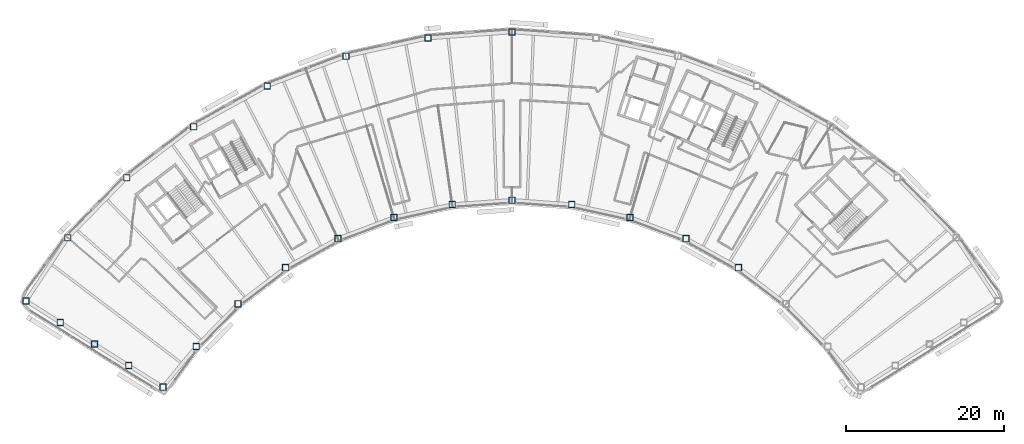
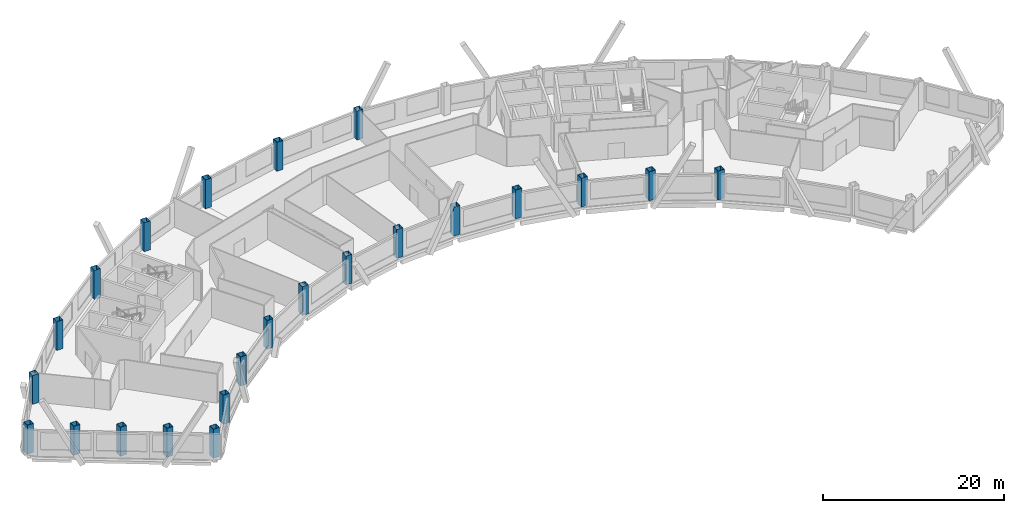
# One storey, part 1 of 13: 23 columns.
"""IFC4 building model written with IfcOpenShell, lengths in metres."""

from ifc_helpers import new_model, si_unit, direction, frame, origin, origin_2d, place, context, subcontext, project, spatial, hollow_rectangle, extrude, material, material_profile, profile_set, type_object, element, save


model = new_model("IFC4")

# Units and contexts
model_context = context("Model", 3, precision=1e-05, world=origin(), true_north=direction((0.0, 1.0)))
body_context = subcontext(model_context, "Body", "Model", "MODEL_VIEW")
ifc_project = project(units=[si_unit("LENGTHUNIT", "METRE"), si_unit("AREAUNIT", "SQUARE_METRE"), si_unit("VOLUMEUNIT", "CUBIC_METRE"), si_unit("PLANEANGLEUNIT", "RADIAN"), si_unit("MASSUNIT", "GRAM", prefix="KILO")], contexts=[model_context])

# Site, building, storey
site_placement = place(None, origin())
site = spatial("IfcSite", under=ifc_project, at=site_placement, CompositionType="ELEMENT")
building_placement = place(site_placement, origin())
building = spatial("IfcBuilding", under=site, at=building_placement, Name="Tuul Gate Civic Tower", CompositionType="ELEMENT")
storey_placement = place(building_placement, frame((0.0, 0.0, 294.199951171875)))
storey = spatial("IfcBuildingStorey", under=building, at=storey_placement, Name="Level 66", CompositionType="ELEMENT", Elevation=294.199951171875)

# Columns
ifc_material = material(Name="Steel S355", Category="steel")
ifc_material_profile = material_profile(ifc_material, hollow_rectangle(XDim=0.800048828125, YDim=0.800048828125, WallThickness=0.031982421875, at=origin_2d()), Name="BOX800x800x32")
ifc_profile_set = profile_set([ifc_material_profile], Name="Steel S355")
column_type = type_object("IfcColumnType", Name="STR-COLUMN-BOX800x800x32", PredefinedType="COLUMN", material=ifc_profile_set)
for number, where, z_axis, x_axis, name in (
    (1, (6.7880859375, 9.23193359375, 0.0), (0.0, 0.0, 1.0), (1.0, 0.0, 0.0), "Column"),
    (2, (-3.861083984375, 8.4599609375, 0.0), (0.0, 0.0, 1.0), (1.0, 0.0, 0.0), "Column"),
    (3, (-14.2880859375, 6.162109375, 0.0), (0.0, 0.0, 1.0), (1.0, 0.0, 0.0), "Column"),
    (4, (-24.27587890625, 2.385009765625, 0.0), (0.0, 0.0, 1.0), (1.0, 0.0, 0.0), "Column"),
    (5, (-33.614013671875, -2.791015625, 0.0), (0.0, 0.0, 1.0), (1.0, 0.0, 0.0), "Column"),
    (6, (-42.10888671875, -9.259033203125, 0.0), (0.0, 0.0, 1.0), (1.0, 0.0, 0.0), "Column"),
    (7, (-49.583984375, -16.884033203125, 0.0), (0.0, 0.0, 1.0), (1.0, 0.0, 0.0), "Column"),
    (8, (-54.883056640625, -24.89697265625, 0.0), (0.0, 0.0, 1.0), (1.0, 0.0, 0.0), "Column"),
    (9, (-50.5400390625, -27.631103515625, 0.0), (0.0, 0.0, 1.0), (1.0, 0.0, 0.0), "Column"),
    (10, (-46.197998046875, -30.365966796875, 0.0), (0.0, 0.0, 1.0), (1.0, 0.0, 0.0), "Column"),
    (11, (-41.85498046875, -33.10009765625, 0.0), (0.0, 0.0, 1.0), (1.0, 0.0, 0.0), "Column"),
    (12, (-37.512939453125, -35.8349609375, 0.0), (0.0, 0.0, 1.0), (1.0, 0.0, 0.0), "Column"),
    (13, (-33.29296875, -30.693115234375, 0.0), (0.0, 0.0, 1.0), (1.0, 0.0, 0.0), "Column"),
    (14, (-27.97900390625, -25.27099609375, 0.0), (0.0, 0.0, 1.0), (1.0, 0.0, 0.0), "Column"),
    (15, (-21.93798828125, -20.672119140625, 0.0), (0.0, 0.0, 1.0), (1.0, 0.0, 0.0), "Column"),
    (16, (-15.298095703125, -16.991943359375, 0.0), (0.0, 0.0, 1.0), (1.0, 0.0, 0.0), "Column"),
    (17, (-8.197998046875, -14.306884765625, 0.0), (0.0, 0.0, 1.0), (1.0, 0.0, 0.0), "Column"),
    (18, (-0.783935546875, -12.673095703125, 0.0), (0.0, 0.0, 1.0), (1.0, 0.0, 0.0), "Column"),
    (19, (6.7880859375, -12.1240234375, 0.0), (0.0, 0.0, 1.0), (1.0, 0.0, 0.0), "Column"),
    (20, (14.360107421875, -12.673095703125, 0.0), (0.0, 0.0, 1.0), (1.0, 0.0, 0.0), "Column"),
    (21, (21.77392578125, -14.306884765625, 0.0), (0.0, 0.0, 1.0), (1.0, 0.0, 0.0), "Column"),
    (22, (28.875, -16.991943359375, 0.0), (0.0, 0.0, 1.0), (1.0, 0.0, 0.0), "Column"),
    (23, (35.514892578125, -20.672119140625, 0.0), (0.0, 0.0, 1.0), (1.0, 0.0, 0.0), "Column"),
):
    element("IfcColumn", number, at=place(storey_placement, frame(where, z_axis=z_axis, x_axis=x_axis)), inside=storey, type_object=column_type, Name=name, PredefinedType="COLUMN", context=body_context, shape_type="SweptSolid", body=[
        extrude(hollow_rectangle(XDim=0.800048828125, YDim=0.800048828125, WallThickness=0.031982421875, at=origin_2d()), origin(), (0.0, 0.0, 1.0), 3.900146484375),
    ])

save(model, "model.ifc")
